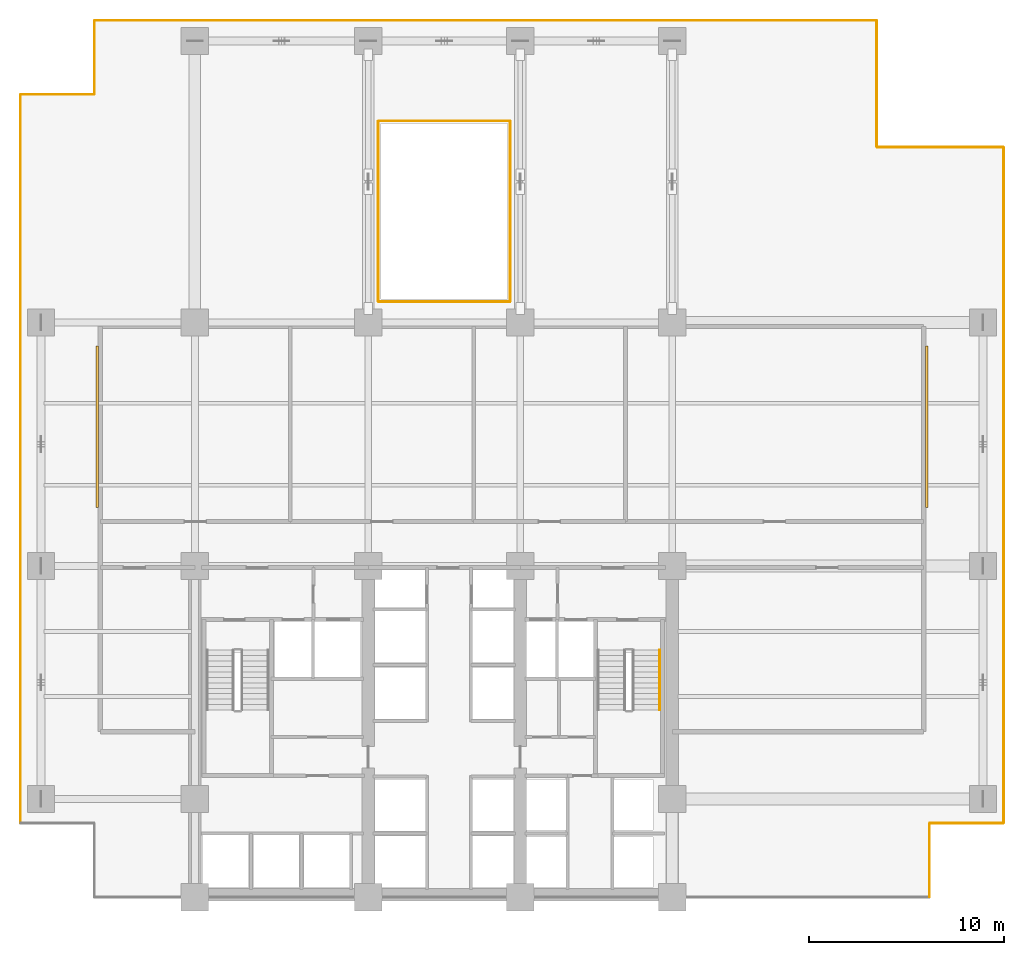
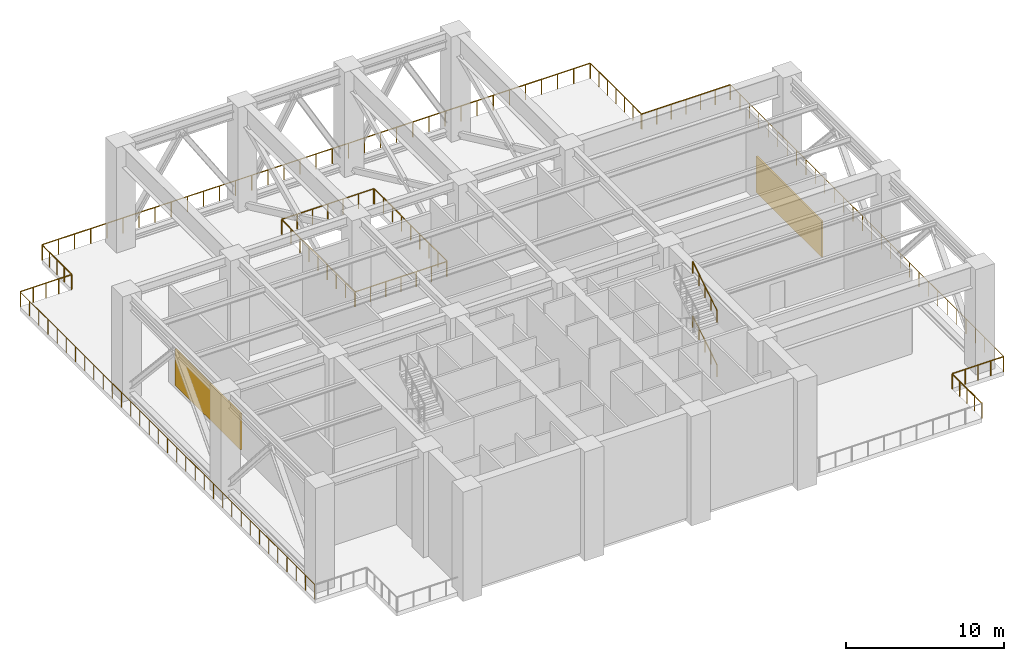
# One storey, part 7 of 7: 15 railings, 2 shading devices.
"""IFC4 building model written with IfcOpenShell, lengths in metres."""

from ifc_helpers import new_model, si_unit, direction, frame, origin, origin_2d, place, context, subcontext, project, spatial, polyline, circle, outline, extrude, material, layer, layer_set, type_object, element, save


model = new_model("IFC4")

# Units and contexts
model_context = context("Model", 3, precision=1e-05, world=origin(), true_north=direction((0.0, 1.0)))
body_context = subcontext(model_context, "Body", "Model", "MODEL_VIEW")
ifc_project = project(units=[si_unit("LENGTHUNIT", "METRE"), si_unit("AREAUNIT", "SQUARE_METRE"), si_unit("VOLUMEUNIT", "CUBIC_METRE"), si_unit("PLANEANGLEUNIT", "RADIAN"), si_unit("MASSUNIT", "GRAM", prefix="KILO")], contexts=[model_context])

# Site, building, storey
site_placement = place(None, origin())
site = spatial("IfcSite", under=ifc_project, at=site_placement, CompositionType="ELEMENT")
building_placement = place(site_placement, origin())
building = spatial("IfcBuilding", under=site, at=building_placement, Name="Qalmaran Belvedere Hotel", CompositionType="ELEMENT")
storey_placement = place(building_placement, frame((0.0, 0.0, 75.39990234375)))
storey = spatial("IfcBuildingStorey", under=building, at=storey_placement, Name="L19", CompositionType="ELEMENT", Elevation=75.39990234375)

# Railings
ifc_material_1 = material(Name="Anodised Bronze Aluminium", Category="aluminium")
railing_type_1 = type_object("IfcRailingType", Name="GRD-PORTAL-1180", PredefinedType="BALUSTRADE", material=ifc_material_1)
railing_1_placement = place(storey_placement, frame((58.0, 3.534912109375, 0.0)))
element("IfcRailing", 1, at=railing_1_placement, inside=storey, type_object=railing_type_1, Name="L19 Guardrail L19-OUT-2", PredefinedType="BALUSTRADE", context=body_context, shape_type="SweptSolid", body=[
    extrude(circle(Radius=0.02392578125, at=origin_2d()), frame((0.0, 0.0, 1.15576171875), z_axis=(0.0, 1.0, 0.0), x_axis=(-1.0, 0.0, 0.0)), (0.0, 0.0, 1.0), 3.72998046875),
    extrude(circle(Radius=0.02099609375, at=origin_2d()), origin(), (0.0, 0.0, 1.0), 1.1318359375),
    extrude(circle(Radius=0.02099609375, at=origin_2d()), frame((0.0, 0.9326171875, 0.0)), (0.0, 0.0, 1.0), 1.1318359375),
    extrude(circle(Radius=0.02099609375, at=origin_2d()), frame((0.0, 1.864990234375, 0.0)), (0.0, 0.0, 1.0), 1.1318359375),
    extrude(circle(Radius=0.02099609375, at=origin_2d()), frame((0.0, 2.79736328125, 0.0)), (0.0, 0.0, 1.0), 1.1318359375),
    extrude(circle(Radius=0.02099609375, at=origin_2d()), frame((0.0, 3.72998046875, 0.0)), (0.0, 0.0, 1.0), 1.1318359375),
])
railing_2_placement = place(storey_placement, frame((58.034912109375, 7.300048828125, 0.0)))
element("IfcRailing", 2, at=railing_2_placement, inside=storey, type_object=railing_type_1, Name="L19 Guardrail L19-OUT-3", PredefinedType="BALUSTRADE", context=body_context, shape_type="SweptSolid", body=[
    extrude(circle(Radius=0.02392578125, at=origin_2d()), frame((0.0, 0.0, 1.15576171875), z_axis=(1.0, 0.0, 0.0), x_axis=(0.0, 1.0, 0.0)), (0.0, 0.0, 1.0), 3.72998046875),
    extrude(circle(Radius=0.02099609375, at=origin_2d()), origin(), (0.0, 0.0, 1.0), 1.1318359375),
    extrude(circle(Radius=0.02099609375, at=origin_2d()), frame((0.9326171875, 0.0, 0.0)), (0.0, 0.0, 1.0), 1.1318359375),
    extrude(circle(Radius=0.02099609375, at=origin_2d()), frame((1.864990234375, 0.0, 0.0)), (0.0, 0.0, 1.0), 1.1318359375),
    extrude(circle(Radius=0.02099609375, at=origin_2d()), frame((2.79736328125, 0.0, 0.0)), (0.0, 0.0, 1.0), 1.1318359375),
    extrude(circle(Radius=0.02099609375, at=origin_2d()), frame((3.72998046875, 0.0, 0.0)), (0.0, 0.0, 1.0), 1.1318359375),
])
railing_3_placement = place(storey_placement, frame((61.800048828125, 7.3349609375, 0.0)))
element("IfcRailing", 3, at=railing_3_placement, inside=storey, type_object=railing_type_1, Name="L19 Guardrail L19-OUT-4", PredefinedType="BALUSTRADE", context=body_context, shape_type="SweptSolid", body=[
    extrude(circle(Radius=0.02392578125, at=origin_2d()), frame((0.0, 0.0, 1.15576171875), z_axis=(0.0, 1.0, 0.0), x_axis=(-1.0, 0.0, 0.0)), (0.0, 0.0, 1.0), 34.630126953125),
    extrude(circle(Radius=0.02099609375, at=origin_2d()), origin(), (0.0, 0.0, 1.0), 1.1318359375),
    extrude(circle(Radius=0.02099609375, at=origin_2d()), frame((0.0, 1.194091796875, 0.0)), (0.0, 0.0, 1.0), 1.1318359375),
    extrude(circle(Radius=0.02099609375, at=origin_2d()), frame((0.0, 2.38818359375, 0.0)), (0.0, 0.0, 1.0), 1.1318359375),
    extrude(circle(Radius=0.02099609375, at=origin_2d()), frame((0.0, 3.58251953125, 0.0)), (0.0, 0.0, 1.0), 1.1318359375),
    extrude(circle(Radius=0.02099609375, at=origin_2d()), frame((0.0, 4.776611328125, 0.0)), (0.0, 0.0, 1.0), 1.1318359375),
    extrude(circle(Radius=0.02099609375, at=origin_2d()), frame((0.0, 5.970703125, 0.0)), (0.0, 0.0, 1.0), 1.1318359375),
    extrude(circle(Radius=0.02099609375, at=origin_2d()), frame((0.0, 7.164794921875, 0.0)), (0.0, 0.0, 1.0), 1.1318359375),
    extrude(circle(Radius=0.02099609375, at=origin_2d()), frame((0.0, 8.35888671875, 0.0)), (0.0, 0.0, 1.0), 1.1318359375),
    extrude(circle(Radius=0.02099609375, at=origin_2d()), frame((0.0, 9.55322265625, 0.0)), (0.0, 0.0, 1.0), 1.1318359375),
    extrude(circle(Radius=0.02099609375, at=origin_2d()), frame((0.0, 10.747314453125, 0.0)), (0.0, 0.0, 1.0), 1.1318359375),
    extrude(circle(Radius=0.02099609375, at=origin_2d()), frame((0.0, 11.94140625, 0.0)), (0.0, 0.0, 1.0), 1.1318359375),
    extrude(circle(Radius=0.02099609375, at=origin_2d()), frame((0.0, 13.135498046875, 0.0)), (0.0, 0.0, 1.0), 1.1318359375),
    extrude(circle(Radius=0.02099609375, at=origin_2d()), frame((0.0, 14.32958984375, 0.0)), (0.0, 0.0, 1.0), 1.1318359375),
    extrude(circle(Radius=0.02099609375, at=origin_2d()), frame((0.0, 15.52392578125, 0.0)), (0.0, 0.0, 1.0), 1.1318359375),
    extrude(circle(Radius=0.02099609375, at=origin_2d()), frame((0.0, 16.718017578125, 0.0)), (0.0, 0.0, 1.0), 1.1318359375),
    extrude(circle(Radius=0.02099609375, at=origin_2d()), frame((0.0, 17.912109375, 0.0)), (0.0, 0.0, 1.0), 1.1318359375),
    extrude(circle(Radius=0.02099609375, at=origin_2d()), frame((0.0, 19.106201171875, 0.0)), (0.0, 0.0, 1.0), 1.1318359375),
    extrude(circle(Radius=0.02099609375, at=origin_2d()), frame((0.0, 20.300537109375, 0.0)), (0.0, 0.0, 1.0), 1.1318359375),
    extrude(circle(Radius=0.02099609375, at=origin_2d()), frame((0.0, 21.49462890625, 0.0)), (0.0, 0.0, 1.0), 1.1318359375),
    extrude(circle(Radius=0.02099609375, at=origin_2d()), frame((0.0, 22.688720703125, 0.0)), (0.0, 0.0, 1.0), 1.1318359375),
    extrude(circle(Radius=0.02099609375, at=origin_2d()), frame((0.0, 23.8828125, 0.0)), (0.0, 0.0, 1.0), 1.1318359375),
    extrude(circle(Radius=0.02099609375, at=origin_2d()), frame((0.0, 25.076904296875, 0.0)), (0.0, 0.0, 1.0), 1.1318359375),
    extrude(circle(Radius=0.02099609375, at=origin_2d()), frame((0.0, 26.271240234375, 0.0)), (0.0, 0.0, 1.0), 1.1318359375),
    extrude(circle(Radius=0.02099609375, at=origin_2d()), frame((0.0, 27.46533203125, 0.0)), (0.0, 0.0, 1.0), 1.1318359375),
    extrude(circle(Radius=0.02099609375, at=origin_2d()), frame((0.0, 28.659423828125, 0.0)), (0.0, 0.0, 1.0), 1.1318359375),
    extrude(circle(Radius=0.02099609375, at=origin_2d()), frame((0.0, 29.853515625, 0.0)), (0.0, 0.0, 1.0), 1.1318359375),
    extrude(circle(Radius=0.02099609375, at=origin_2d()), frame((0.0, 31.047607421875, 0.0)), (0.0, 0.0, 1.0), 1.1318359375),
    extrude(circle(Radius=0.02099609375, at=origin_2d()), frame((0.0, 32.241943359375, 0.0)), (0.0, 0.0, 1.0), 1.1318359375),
    extrude(circle(Radius=0.02099609375, at=origin_2d()), frame((0.0, 33.43603515625, 0.0)), (0.0, 0.0, 1.0), 1.1318359375),
    extrude(circle(Radius=0.02099609375, at=origin_2d()), frame((0.0, 34.630126953125, 0.0)), (0.0, 0.0, 1.0), 1.1318359375),
])
railing_4_placement = place(storey_placement, frame((61.764892578125, 42.0, 0.0)))
element("IfcRailing", 4, at=railing_4_placement, inside=storey, type_object=railing_type_1, Name="L19 Guardrail L19-OUT-5", PredefinedType="BALUSTRADE", context=body_context, shape_type="SweptSolid", body=[
    extrude(circle(Radius=0.02392578125, at=origin_2d()), frame((0.0, 0.0, 1.15576171875), z_axis=(-1.0, 0.0, 0.0), x_axis=(0.0, -1.0, 0.0)), (0.0, 0.0, 1.0), 6.429931640625),
    extrude(circle(Radius=0.02099609375, at=origin_2d()), origin(), (0.0, 0.0, 1.0), 1.1318359375),
    extrude(circle(Radius=0.02099609375, at=origin_2d()), frame((-1.07177734375, 0.0, 0.0)), (0.0, 0.0, 1.0), 1.1318359375),
    extrude(circle(Radius=0.02099609375, at=origin_2d()), frame((-2.143310546875, 0.0, 0.0)), (0.0, 0.0, 1.0), 1.1318359375),
    extrude(circle(Radius=0.02099609375, at=origin_2d()), frame((-3.21484375, 0.0, 0.0)), (0.0, 0.0, 1.0), 1.1318359375),
    extrude(circle(Radius=0.02099609375, at=origin_2d()), frame((-4.28662109375, 0.0, 0.0)), (0.0, 0.0, 1.0), 1.1318359375),
    extrude(circle(Radius=0.02099609375, at=origin_2d()), frame((-5.3583984375, 0.0, 0.0)), (0.0, 0.0, 1.0), 1.1318359375),
    extrude(circle(Radius=0.02099609375, at=origin_2d()), frame((-6.429931640625, 0.0, 0.0)), (0.0, 0.0, 1.0), 1.1318359375),
])
railing_5_placement = place(storey_placement, frame((55.300048828125, 42.034912109375, 0.0)))
element("IfcRailing", 5, at=railing_5_placement, inside=storey, type_object=railing_type_1, Name="L19 Guardrail L19-OUT-6", PredefinedType="BALUSTRADE", context=body_context, shape_type="SweptSolid", body=[
    extrude(circle(Radius=0.02392578125, at=origin_2d()), frame((0.0, 0.0, 1.15576171875), z_axis=(0.0, 1.0, 0.0), x_axis=(-1.0, 0.0, 0.0)), (0.0, 0.0, 1.0), 6.43017578125),
    extrude(circle(Radius=0.02099609375, at=origin_2d()), origin(), (0.0, 0.0, 1.0), 1.1318359375),
    extrude(circle(Radius=0.02099609375, at=origin_2d()), frame((0.0, 1.07177734375, 0.0)), (0.0, 0.0, 1.0), 1.1318359375),
    extrude(circle(Radius=0.02099609375, at=origin_2d()), frame((0.0, 2.143310546875, 0.0)), (0.0, 0.0, 1.0), 1.1318359375),
    extrude(circle(Radius=0.02099609375, at=origin_2d()), frame((0.0, 3.215087890625, 0.0)), (0.0, 0.0, 1.0), 1.1318359375),
    extrude(circle(Radius=0.02099609375, at=origin_2d()), frame((0.0, 4.286865234375, 0.0)), (0.0, 0.0, 1.0), 1.1318359375),
    extrude(circle(Radius=0.02099609375, at=origin_2d()), frame((0.0, 5.3583984375, 0.0)), (0.0, 0.0, 1.0), 1.1318359375),
    extrude(circle(Radius=0.02099609375, at=origin_2d()), frame((0.0, 6.43017578125, 0.0)), (0.0, 0.0, 1.0), 1.1318359375),
])
railing_6_placement = place(storey_placement, frame((55.264892578125, 48.5, 0.0)))
element("IfcRailing", 6, at=railing_6_placement, inside=storey, type_object=railing_type_1, Name="L19 Guardrail L19-OUT-7", PredefinedType="BALUSTRADE", context=body_context, shape_type="SweptSolid", body=[
    extrude(circle(Radius=0.02392578125, at=origin_2d()), frame((0.0, 0.0, 1.15576171875), z_axis=(-1.0, 0.0, 0.0), x_axis=(0.0, -1.0, 0.0)), (0.0, 0.0, 1.0), 40.079833984375),
    extrude(circle(Radius=0.02099609375, at=origin_2d()), origin(), (0.0, 0.0, 1.0), 1.1318359375),
    extrude(circle(Radius=0.02099609375, at=origin_2d()), frame((-1.1787109375, 0.0, 0.0)), (0.0, 0.0, 1.0), 1.1318359375),
    extrude(circle(Radius=0.02099609375, at=origin_2d()), frame((-2.357666015625, 0.0, 0.0)), (0.0, 0.0, 1.0), 1.1318359375),
    extrude(circle(Radius=0.02099609375, at=origin_2d()), frame((-3.536376953125, 0.0, 0.0)), (0.0, 0.0, 1.0), 1.1318359375),
    extrude(circle(Radius=0.02099609375, at=origin_2d()), frame((-4.71533203125, 0.0, 0.0)), (0.0, 0.0, 1.0), 1.1318359375),
    extrude(circle(Radius=0.02099609375, at=origin_2d()), frame((-5.89404296875, 0.0, 0.0)), (0.0, 0.0, 1.0), 1.1318359375),
    extrude(circle(Radius=0.02099609375, at=origin_2d()), frame((-7.072998046875, 0.0, 0.0)), (0.0, 0.0, 1.0), 1.1318359375),
    extrude(circle(Radius=0.02099609375, at=origin_2d()), frame((-8.251708984375, 0.0, 0.0)), (0.0, 0.0, 1.0), 1.1318359375),
    extrude(circle(Radius=0.02099609375, at=origin_2d()), frame((-9.4306640625, 0.0, 0.0)), (0.0, 0.0, 1.0), 1.1318359375),
    extrude(circle(Radius=0.02099609375, at=origin_2d()), frame((-10.609375, 0.0, 0.0)), (0.0, 0.0, 1.0), 1.1318359375),
    extrude(circle(Radius=0.02099609375, at=origin_2d()), frame((-11.7880859375, 0.0, 0.0)), (0.0, 0.0, 1.0), 1.1318359375),
    extrude(circle(Radius=0.02099609375, at=origin_2d()), frame((-12.967041015625, 0.0, 0.0)), (0.0, 0.0, 1.0), 1.1318359375),
    extrude(circle(Radius=0.02099609375, at=origin_2d()), frame((-14.145751953125, 0.0, 0.0)), (0.0, 0.0, 1.0), 1.1318359375),
    extrude(circle(Radius=0.02099609375, at=origin_2d()), frame((-15.32470703125, 0.0, 0.0)), (0.0, 0.0, 1.0), 1.1318359375),
    extrude(circle(Radius=0.02099609375, at=origin_2d()), frame((-16.50341796875, 0.0, 0.0)), (0.0, 0.0, 1.0), 1.1318359375),
    extrude(circle(Radius=0.02099609375, at=origin_2d()), frame((-17.682373046875, 0.0, 0.0)), (0.0, 0.0, 1.0), 1.1318359375),
    extrude(circle(Radius=0.02099609375, at=origin_2d()), frame((-18.861083984375, 0.0, 0.0)), (0.0, 0.0, 1.0), 1.1318359375),
    extrude(circle(Radius=0.02099609375, at=origin_2d()), frame((-20.0400390625, 0.0, 0.0)), (0.0, 0.0, 1.0), 1.1318359375),
    extrude(circle(Radius=0.02099609375, at=origin_2d()), frame((-21.21875, 0.0, 0.0)), (0.0, 0.0, 1.0), 1.1318359375),
    extrude(circle(Radius=0.02099609375, at=origin_2d()), frame((-22.3974609375, 0.0, 0.0)), (0.0, 0.0, 1.0), 1.1318359375),
    extrude(circle(Radius=0.02099609375, at=origin_2d()), frame((-23.576416015625, 0.0, 0.0)), (0.0, 0.0, 1.0), 1.1318359375),
    extrude(circle(Radius=0.02099609375, at=origin_2d()), frame((-24.755126953125, 0.0, 0.0)), (0.0, 0.0, 1.0), 1.1318359375),
    extrude(circle(Radius=0.02099609375, at=origin_2d()), frame((-25.93408203125, 0.0, 0.0)), (0.0, 0.0, 1.0), 1.1318359375),
    extrude(circle(Radius=0.02099609375, at=origin_2d()), frame((-27.11279296875, 0.0, 0.0)), (0.0, 0.0, 1.0), 1.1318359375),
    extrude(circle(Radius=0.02099609375, at=origin_2d()), frame((-28.291748046875, 0.0, 0.0)), (0.0, 0.0, 1.0), 1.1318359375),
    extrude(circle(Radius=0.02099609375, at=origin_2d()), frame((-29.470458984375, 0.0, 0.0)), (0.0, 0.0, 1.0), 1.1318359375),
    extrude(circle(Radius=0.02099609375, at=origin_2d()), frame((-30.649169921875, 0.0, 0.0)), (0.0, 0.0, 1.0), 1.1318359375),
    extrude(circle(Radius=0.02099609375, at=origin_2d()), frame((-31.828125, 0.0, 0.0)), (0.0, 0.0, 1.0), 1.1318359375),
    extrude(circle(Radius=0.02099609375, at=origin_2d()), frame((-33.0068359375, 0.0, 0.0)), (0.0, 0.0, 1.0), 1.1318359375),
    extrude(circle(Radius=0.02099609375, at=origin_2d()), frame((-34.185791015625, 0.0, 0.0)), (0.0, 0.0, 1.0), 1.1318359375),
    extrude(circle(Radius=0.02099609375, at=origin_2d()), frame((-35.364501953125, 0.0, 0.0)), (0.0, 0.0, 1.0), 1.1318359375),
    extrude(circle(Radius=0.02099609375, at=origin_2d()), frame((-36.54345703125, 0.0, 0.0)), (0.0, 0.0, 1.0), 1.1318359375),
    extrude(circle(Radius=0.02099609375, at=origin_2d()), frame((-37.72216796875, 0.0, 0.0)), (0.0, 0.0, 1.0), 1.1318359375),
    extrude(circle(Radius=0.02099609375, at=origin_2d()), frame((-38.901123046875, 0.0, 0.0)), (0.0, 0.0, 1.0), 1.1318359375),
    extrude(circle(Radius=0.02099609375, at=origin_2d()), frame((-40.079833984375, 0.0, 0.0)), (0.0, 0.0, 1.0), 1.1318359375),
])
railing_7_placement = place(storey_placement, frame((15.14990234375, 48.465087890625, 0.0)))
element("IfcRailing", 7, at=railing_7_placement, inside=storey, type_object=railing_type_1, Name="L19 Guardrail L19-OUT-8", PredefinedType="BALUSTRADE", context=body_context, shape_type="SweptSolid", body=[
    extrude(circle(Radius=0.02392578125, at=origin_2d()), frame((0.0, 0.0, 1.15576171875), z_axis=(0.0, -1.0, 0.0), x_axis=(1.0, 0.0, 0.0)), (0.0, 0.0, 1.0), 3.72998046875),
    extrude(circle(Radius=0.02099609375, at=origin_2d()), origin(), (0.0, 0.0, 1.0), 1.1318359375),
    extrude(circle(Radius=0.02099609375, at=origin_2d()), frame((0.0, -0.9326171875, 0.0)), (0.0, 0.0, 1.0), 1.1318359375),
    extrude(circle(Radius=0.02099609375, at=origin_2d()), frame((0.0, -1.864990234375, 0.0)), (0.0, 0.0, 1.0), 1.1318359375),
    extrude(circle(Radius=0.02099609375, at=origin_2d()), frame((0.0, -2.79736328125, 0.0)), (0.0, 0.0, 1.0), 1.1318359375),
    extrude(circle(Radius=0.02099609375, at=origin_2d()), frame((0.0, -3.72998046875, 0.0)), (0.0, 0.0, 1.0), 1.1318359375),
])
railing_8_placement = place(storey_placement, frame((15.114990234375, 44.699951171875, 0.0)))
element("IfcRailing", 8, at=railing_8_placement, inside=storey, type_object=railing_type_1, Name="L19 Guardrail L19-OUT-9", PredefinedType="BALUSTRADE", context=body_context, shape_type="SweptSolid", body=[
    extrude(circle(Radius=0.02392578125, at=origin_2d()), frame((0.0, 0.0, 1.15576171875), z_axis=(-1.0, 0.0, 0.0), x_axis=(0.0, -1.0, 0.0)), (0.0, 0.0, 1.0), 3.72998046875),
    extrude(circle(Radius=0.02099609375, at=origin_2d()), origin(), (0.0, 0.0, 1.0), 1.1318359375),
    extrude(circle(Radius=0.02099609375, at=origin_2d()), frame((-0.9326171875, 0.0, 0.0)), (0.0, 0.0, 1.0), 1.1318359375),
    extrude(circle(Radius=0.02099609375, at=origin_2d()), frame((-1.864990234375, 0.0, 0.0)), (0.0, 0.0, 1.0), 1.1318359375),
    extrude(circle(Radius=0.02099609375, at=origin_2d()), frame((-2.79736328125, 0.0, 0.0)), (0.0, 0.0, 1.0), 1.1318359375),
    extrude(circle(Radius=0.02099609375, at=origin_2d()), frame((-3.72998046875, 0.0, 0.0)), (0.0, 0.0, 1.0), 1.1318359375),
])
railing_9_placement = place(storey_placement, frame((11.35009765625, 44.6650390625, 0.0)))
element("IfcRailing", 9, at=railing_9_placement, inside=storey, type_object=railing_type_1, Name="L19 Guardrail L19-OUT-10", PredefinedType="BALUSTRADE", context=body_context, shape_type="SweptSolid", body=[
    extrude(circle(Radius=0.02392578125, at=origin_2d()), frame((0.0, 0.0, 1.15576171875), z_axis=(0.0, -1.0, 0.0), x_axis=(1.0, 0.0, 0.0)), (0.0, 0.0, 1.0), 37.330078125),
    extrude(circle(Radius=0.02099609375, at=origin_2d()), origin(), (0.0, 0.0, 1.0), 1.1318359375),
    extrude(circle(Radius=0.02099609375, at=origin_2d()), frame((0.0, -1.16650390625, 0.0)), (0.0, 0.0, 1.0), 1.1318359375),
    extrude(circle(Radius=0.02099609375, at=origin_2d()), frame((0.0, -2.3330078125, 0.0)), (0.0, 0.0, 1.0), 1.1318359375),
    extrude(circle(Radius=0.02099609375, at=origin_2d()), frame((0.0, -3.499755859375, 0.0)), (0.0, 0.0, 1.0), 1.1318359375),
    extrude(circle(Radius=0.02099609375, at=origin_2d()), frame((0.0, -4.666259765625, 0.0)), (0.0, 0.0, 1.0), 1.1318359375),
    extrude(circle(Radius=0.02099609375, at=origin_2d()), frame((0.0, -5.832763671875, 0.0)), (0.0, 0.0, 1.0), 1.1318359375),
    extrude(circle(Radius=0.02099609375, at=origin_2d()), frame((0.0, -6.99951171875, 0.0)), (0.0, 0.0, 1.0), 1.1318359375),
    extrude(circle(Radius=0.02099609375, at=origin_2d()), frame((0.0, -8.166015625, 0.0)), (0.0, 0.0, 1.0), 1.1318359375),
    extrude(circle(Radius=0.02099609375, at=origin_2d()), frame((0.0, -9.33251953125, 0.0)), (0.0, 0.0, 1.0), 1.1318359375),
    extrude(circle(Radius=0.02099609375, at=origin_2d()), frame((0.0, -10.4990234375, 0.0)), (0.0, 0.0, 1.0), 1.1318359375),
    extrude(circle(Radius=0.02099609375, at=origin_2d()), frame((0.0, -11.66552734375, 0.0)), (0.0, 0.0, 1.0), 1.1318359375),
    extrude(circle(Radius=0.02099609375, at=origin_2d()), frame((0.0, -12.832275390625, 0.0)), (0.0, 0.0, 1.0), 1.1318359375),
    extrude(circle(Radius=0.02099609375, at=origin_2d()), frame((0.0, -13.998779296875, 0.0)), (0.0, 0.0, 1.0), 1.1318359375),
    extrude(circle(Radius=0.02099609375, at=origin_2d()), frame((0.0, -15.165283203125, 0.0)), (0.0, 0.0, 1.0), 1.1318359375),
    extrude(circle(Radius=0.02099609375, at=origin_2d()), frame((0.0, -16.33203125, 0.0)), (0.0, 0.0, 1.0), 1.1318359375),
    extrude(circle(Radius=0.02099609375, at=origin_2d()), frame((0.0, -17.49853515625, 0.0)), (0.0, 0.0, 1.0), 1.1318359375),
    extrude(circle(Radius=0.02099609375, at=origin_2d()), frame((0.0, -18.6650390625, 0.0)), (0.0, 0.0, 1.0), 1.1318359375),
    extrude(circle(Radius=0.02099609375, at=origin_2d()), frame((0.0, -19.83154296875, 0.0)), (0.0, 0.0, 1.0), 1.1318359375),
    extrude(circle(Radius=0.02099609375, at=origin_2d()), frame((0.0, -20.998046875, 0.0)), (0.0, 0.0, 1.0), 1.1318359375),
    extrude(circle(Radius=0.02099609375, at=origin_2d()), frame((0.0, -22.164794921875, 0.0)), (0.0, 0.0, 1.0), 1.1318359375),
    extrude(circle(Radius=0.02099609375, at=origin_2d()), frame((0.0, -23.331298828125, 0.0)), (0.0, 0.0, 1.0), 1.1318359375),
    extrude(circle(Radius=0.02099609375, at=origin_2d()), frame((0.0, -24.497802734375, 0.0)), (0.0, 0.0, 1.0), 1.1318359375),
    extrude(circle(Radius=0.02099609375, at=origin_2d()), frame((0.0, -25.66455078125, 0.0)), (0.0, 0.0, 1.0), 1.1318359375),
    extrude(circle(Radius=0.02099609375, at=origin_2d()), frame((0.0, -26.8310546875, 0.0)), (0.0, 0.0, 1.0), 1.1318359375),
    extrude(circle(Radius=0.02099609375, at=origin_2d()), frame((0.0, -27.99755859375, 0.0)), (0.0, 0.0, 1.0), 1.1318359375),
    extrude(circle(Radius=0.02099609375, at=origin_2d()), frame((0.0, -29.1640625, 0.0)), (0.0, 0.0, 1.0), 1.1318359375),
    extrude(circle(Radius=0.02099609375, at=origin_2d()), frame((0.0, -30.33056640625, 0.0)), (0.0, 0.0, 1.0), 1.1318359375),
    extrude(circle(Radius=0.02099609375, at=origin_2d()), frame((0.0, -31.497314453125, 0.0)), (0.0, 0.0, 1.0), 1.1318359375),
    extrude(circle(Radius=0.02099609375, at=origin_2d()), frame((0.0, -32.663818359375, 0.0)), (0.0, 0.0, 1.0), 1.1318359375),
    extrude(circle(Radius=0.02099609375, at=origin_2d()), frame((0.0, -33.830322265625, 0.0)), (0.0, 0.0, 1.0), 1.1318359375),
    extrude(circle(Radius=0.02099609375, at=origin_2d()), frame((0.0, -34.9970703125, 0.0)), (0.0, 0.0, 1.0), 1.1318359375),
    extrude(circle(Radius=0.02099609375, at=origin_2d()), frame((0.0, -36.16357421875, 0.0)), (0.0, 0.0, 1.0), 1.1318359375),
    extrude(circle(Radius=0.02099609375, at=origin_2d()), frame((0.0, -37.330078125, 0.0)), (0.0, 0.0, 1.0), 1.1318359375),
])
railing_10_placement = place(storey_placement, frame((29.7451171875, 34.06005859375, 0.0)))
element("IfcRailing", 10, at=railing_10_placement, inside=storey, type_object=railing_type_1, Name="L19 Guardrail L19-VOID-1", PredefinedType="BALUSTRADE", context=body_context, shape_type="SweptSolid", body=[
    extrude(circle(Radius=0.02392578125, at=origin_2d()), frame((0.0, 0.0, 1.15576171875), z_axis=(1.0, 0.0, 0.0), x_axis=(0.0, 1.0, 0.0)), (0.0, 0.0, 1.0), 6.7099609375),
    extrude(circle(Radius=0.02099609375, at=origin_2d()), origin(), (0.0, 0.0, 1.0), 1.1318359375),
    extrude(circle(Radius=0.02099609375, at=origin_2d()), frame((1.118408203125, 0.0, 0.0)), (0.0, 0.0, 1.0), 1.1318359375),
    extrude(circle(Radius=0.02099609375, at=origin_2d()), frame((2.236572265625, 0.0, 0.0)), (0.0, 0.0, 1.0), 1.1318359375),
    extrude(circle(Radius=0.02099609375, at=origin_2d()), frame((3.35498046875, 0.0, 0.0)), (0.0, 0.0, 1.0), 1.1318359375),
    extrude(circle(Radius=0.02099609375, at=origin_2d()), frame((4.473388671875, 0.0, 0.0)), (0.0, 0.0, 1.0), 1.1318359375),
    extrude(circle(Radius=0.02099609375, at=origin_2d()), frame((5.591552734375, 0.0, 0.0)), (0.0, 0.0, 1.0), 1.1318359375),
    extrude(circle(Radius=0.02099609375, at=origin_2d()), frame((6.7099609375, 0.0, 0.0)), (0.0, 0.0, 1.0), 1.1318359375),
])
railing_11_placement = place(storey_placement, frame((36.489990234375, 34.094970703125, 0.0)))
element("IfcRailing", 11, at=railing_11_placement, inside=storey, type_object=railing_type_1, Name="L19 Guardrail L19-VOID-2", PredefinedType="BALUSTRADE", context=body_context, shape_type="SweptSolid", body=[
    extrude(circle(Radius=0.02392578125, at=origin_2d()), frame((0.0, 0.0, 1.15576171875), z_axis=(0.0, 1.0, 0.0), x_axis=(-1.0, 0.0, 0.0)), (0.0, 0.0, 1.0), 9.2099609375),
    extrude(circle(Radius=0.02099609375, at=origin_2d()), origin(), (0.0, 0.0, 1.0), 1.1318359375),
    extrude(circle(Radius=0.02099609375, at=origin_2d()), frame((0.0, 1.1513671875, 0.0)), (0.0, 0.0, 1.0), 1.1318359375),
    extrude(circle(Radius=0.02099609375, at=origin_2d()), frame((0.0, 2.302490234375, 0.0)), (0.0, 0.0, 1.0), 1.1318359375),
    extrude(circle(Radius=0.02099609375, at=origin_2d()), frame((0.0, 3.45361328125, 0.0)), (0.0, 0.0, 1.0), 1.1318359375),
    extrude(circle(Radius=0.02099609375, at=origin_2d()), frame((0.0, 4.60498046875, 0.0)), (0.0, 0.0, 1.0), 1.1318359375),
    extrude(circle(Radius=0.02099609375, at=origin_2d()), frame((0.0, 5.75634765625, 0.0)), (0.0, 0.0, 1.0), 1.1318359375),
    extrude(circle(Radius=0.02099609375, at=origin_2d()), frame((0.0, 6.907470703125, 0.0)), (0.0, 0.0, 1.0), 1.1318359375),
    extrude(circle(Radius=0.02099609375, at=origin_2d()), frame((0.0, 8.05859375, 0.0)), (0.0, 0.0, 1.0), 1.1318359375),
    extrude(circle(Radius=0.02099609375, at=origin_2d()), frame((0.0, 9.2099609375, 0.0)), (0.0, 0.0, 1.0), 1.1318359375),
])
railing_12_placement = place(storey_placement, frame((36.455078125, 43.340087890625, 0.0)))
element("IfcRailing", 12, at=railing_12_placement, inside=storey, type_object=railing_type_1, Name="L19 Guardrail L19-VOID-3", PredefinedType="BALUSTRADE", context=body_context, shape_type="SweptSolid", body=[
    extrude(circle(Radius=0.02392578125, at=origin_2d()), frame((0.0, 0.0, 1.15576171875), z_axis=(-1.0, 0.0, 0.0), x_axis=(0.0, -1.0, 0.0)), (0.0, 0.0, 1.0), 6.7099609375),
    extrude(circle(Radius=0.02099609375, at=origin_2d()), origin(), (0.0, 0.0, 1.0), 1.1318359375),
    extrude(circle(Radius=0.02099609375, at=origin_2d()), frame((-1.118408203125, 0.0, 0.0)), (0.0, 0.0, 1.0), 1.1318359375),
    extrude(circle(Radius=0.02099609375, at=origin_2d()), frame((-2.236572265625, 0.0, 0.0)), (0.0, 0.0, 1.0), 1.1318359375),
    extrude(circle(Radius=0.02099609375, at=origin_2d()), frame((-3.35498046875, 0.0, 0.0)), (0.0, 0.0, 1.0), 1.1318359375),
    extrude(circle(Radius=0.02099609375, at=origin_2d()), frame((-4.473388671875, 0.0, 0.0)), (0.0, 0.0, 1.0), 1.1318359375),
    extrude(circle(Radius=0.02099609375, at=origin_2d()), frame((-5.591552734375, 0.0, 0.0)), (0.0, 0.0, 1.0), 1.1318359375),
    extrude(circle(Radius=0.02099609375, at=origin_2d()), frame((-6.7099609375, 0.0, 0.0)), (0.0, 0.0, 1.0), 1.1318359375),
])
railing_13_placement = place(storey_placement, frame((29.7099609375, 43.304931640625, 0.0)))
element("IfcRailing", 13, at=railing_13_placement, inside=storey, type_object=railing_type_1, Name="L19 Guardrail L19-VOID-4", PredefinedType="BALUSTRADE", context=body_context, shape_type="SweptSolid", body=[
    extrude(circle(Radius=0.02392578125, at=origin_2d()), frame((0.0, 0.0, 1.15576171875), z_axis=(0.0, -1.0, 0.0), x_axis=(1.0, 0.0, 0.0)), (0.0, 0.0, 1.0), 9.2099609375),
    extrude(circle(Radius=0.02099609375, at=origin_2d()), origin(), (0.0, 0.0, 1.0), 1.1318359375),
    extrude(circle(Radius=0.02099609375, at=origin_2d()), frame((0.0, -1.1513671875, 0.0)), (0.0, 0.0, 1.0), 1.1318359375),
    extrude(circle(Radius=0.02099609375, at=origin_2d()), frame((0.0, -2.302490234375, 0.0)), (0.0, 0.0, 1.0), 1.1318359375),
    extrude(circle(Radius=0.02099609375, at=origin_2d()), frame((0.0, -3.45361328125, 0.0)), (0.0, 0.0, 1.0), 1.1318359375),
    extrude(circle(Radius=0.02099609375, at=origin_2d()), frame((0.0, -4.60498046875, 0.0)), (0.0, 0.0, 1.0), 1.1318359375),
    extrude(circle(Radius=0.02099609375, at=origin_2d()), frame((0.0, -5.75634765625, 0.0)), (0.0, 0.0, 1.0), 1.1318359375),
    extrude(circle(Radius=0.02099609375, at=origin_2d()), frame((0.0, -6.907470703125, 0.0)), (0.0, 0.0, 1.0), 1.1318359375),
    extrude(circle(Radius=0.02099609375, at=origin_2d()), frame((0.0, -8.05859375, 0.0)), (0.0, 0.0, 1.0), 1.1318359375),
    extrude(circle(Radius=0.02099609375, at=origin_2d()), frame((0.0, -9.2099609375, 0.0)), (0.0, 0.0, 1.0), 1.1318359375),
])

# Shading devices
ifc_layer = layer(ifc_material_1, 0.1201171875, Name="Anodised Bronze Aluminium")
ifc_layer_set = layer_set([ifc_layer], Name="Anodised Bronze Aluminium")
shading_device_type = type_object("IfcShadingDeviceType", Name="LVR-PLANT-120", PredefinedType="JALOUSIE", material=ifc_layer_set)
shading_device_1_placement = place(storey_placement, frame((0.0, 0.0, 0.400146484375)))
element("IfcShadingDevice", 14, at=shading_device_1_placement, inside=storey, type_object=shading_device_type, Name="L19 Inboard Acoustic Plant Louvre W", PredefinedType="JALOUSIE", context=body_context, shape_type="SweptSolid", body=[
    extrude(outline(polyline([(15.22998046875, 23.5), (15.35009765625, 23.5), (15.35009765625, 31.800048828125), (15.22998046875, 31.800048828125), (15.22998046875, 23.5)])), origin(), (0.0, 0.0, 1.0), 2.800048828125),
])
shading_device_2_placement = place(storey_placement, frame((0.0, 0.0, 0.400146484375)))
element("IfcShadingDevice", 15, at=shading_device_2_placement, inside=storey, type_object=shading_device_type, Name="L19 Inboard Acoustic Plant Louvre E", PredefinedType="JALOUSIE", context=body_context, shape_type="SweptSolid", body=[
    extrude(outline(polyline([(57.800048828125, 23.5), (57.919921875, 23.5), (57.919921875, 31.800048828125), (57.800048828125, 31.800048828125), (57.800048828125, 23.5)])), origin(), (0.0, 0.0, 1.0), 2.800048828125),
])

# Railings
ifc_material_2 = material(Name="Stainless Steel 1.4401", Category="steel")
railing_type_2 = type_object("IfcRailingType", Name="RLG-STAIR-HAND-910", PredefinedType="HANDRAIL", material=ifc_material_2)
for number, where, name in (
    (16, (44.14990234375, 13.110107421875, 2.275146484375), "L19 ST-2 stair handrail 2"),
    (17, (44.14990234375, 13.110107421875, 6.47509765625), "L19 ST-2 stair handrail 4"),
):
    element("IfcRailing", number, at=place(storey_placement, frame(where)), inside=storey, type_object=railing_type_2, Name=name, PredefinedType="HANDRAIL", context=body_context, shape_type="SweptSolid", body=[
        extrude(circle(Radius=0.02392578125, at=origin_2d()), frame((0.0, 0.0, 0.8857421875), z_axis=(0.0, 0.847979421464, 0.530029150871), x_axis=(-1.0, 0.0, 0.0)), (0.0, 0.0, 1.0), 3.632080078125),
        extrude(circle(Radius=0.02099609375, at=origin_2d()), origin(), (0.0, 0.0, 1.0), 0.86181640625),
        extrude(circle(Radius=0.02099609375, at=origin_2d()), frame((0.0, 0.77001953125, 0.481201171875)), (0.0, 0.0, 1.0), 0.86181640625),
        extrude(circle(Radius=0.02099609375, at=origin_2d()), frame((0.0, 1.5400390625, 0.96240234375)), (0.0, 0.0, 1.0), 0.86181640625),
        extrude(circle(Radius=0.02099609375, at=origin_2d()), frame((0.0, 2.309814453125, 1.44384765625)), (0.0, 0.0, 1.0), 0.86181640625),
        extrude(circle(Radius=0.02099609375, at=origin_2d()), frame((0.0, 3.079833984375, 1.925048828125)), (0.0, 0.0, 1.0), 0.86181640625),
    ])

save(model, "model.ifc")
